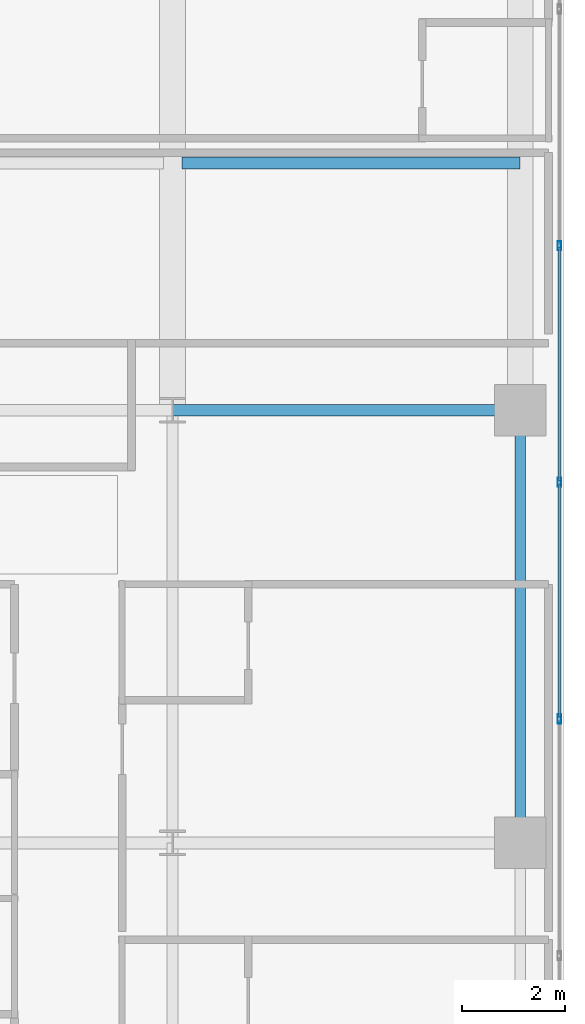
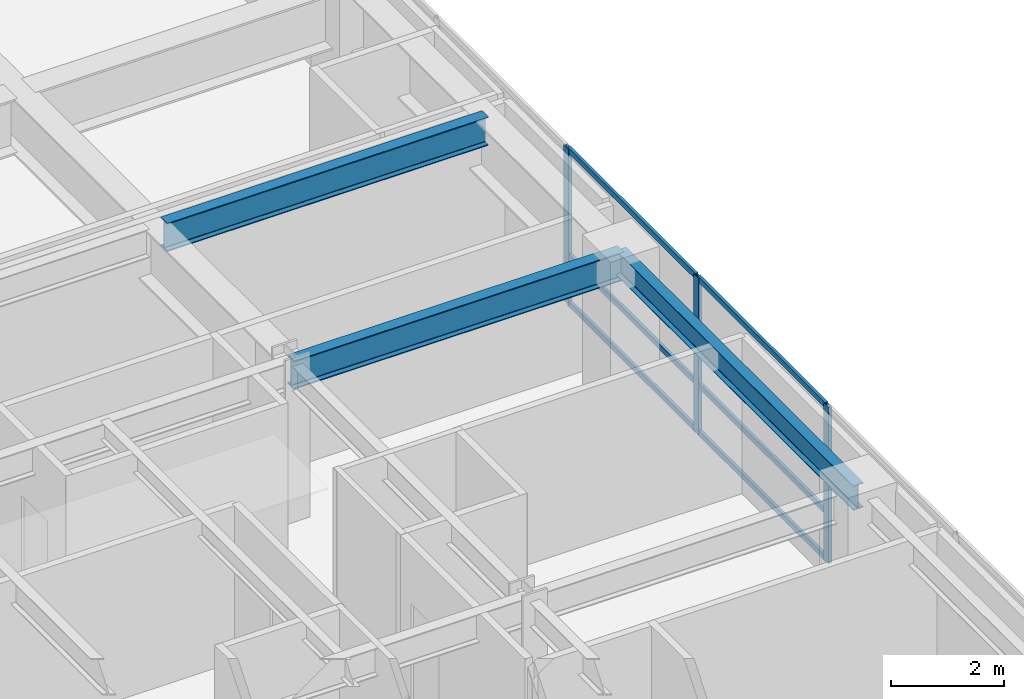
# One storey, part 15 of 31: 9 members, 3 beams, 1 element without a shape of its own.
"""IFC4 building model written with IfcOpenShell, lengths in metres."""

from ifc_helpers import new_model, si_unit, direction, frame, origin, origin_2d, place, context, subcontext, project, spatial, hollow_rectangle, i_section, extrude, source, transform, mapped, material, layer, layer_set, material_profile, profile_set, type_object, type_shapes, element, aggregate, save


model = new_model("IFC4")

# Units and contexts
model_context = context("Model", 3, precision=1e-05, world=origin(), true_north=direction((0.0, 1.0)))
body_context = subcontext(model_context, "Body", "Model", "MODEL_VIEW")
ifc_project = project(units=[si_unit("LENGTHUNIT", "METRE"), si_unit("AREAUNIT", "SQUARE_METRE"), si_unit("VOLUMEUNIT", "CUBIC_METRE"), si_unit("PLANEANGLEUNIT", "RADIAN"), si_unit("MASSUNIT", "GRAM", prefix="KILO")], contexts=[model_context])

# Site, building, storey
site_placement = place(None, origin())
site = spatial("IfcSite", under=ifc_project, at=site_placement, CompositionType="ELEMENT")
building_placement = place(site_placement, origin())
building = spatial("IfcBuilding", under=site, at=building_placement, Name="Tolvann Quenvar Hotel", CompositionType="ELEMENT")
storey_placement = place(building_placement, frame((0.0, 0.0, 74.60009765625)))
storey = spatial("IfcBuildingStorey", under=building, at=storey_placement, Name="L18", CompositionType="ELEMENT", Elevation=74.60009765625)

# Beams
ifc_material_1 = material(Name="Steel Grade 350", Category="steel")
ifc_material_profile_1 = material_profile(ifc_material_1, i_section(OverallWidth=0.22900390625, OverallDepth=0.612060546875, WebThickness=0.011962890625, FlangeThickness=0.01953125, FilletRadius=0.013916015625, at=origin_2d()), Name="610UB125")
ifc_profile_set_1 = profile_set([ifc_material_profile_1], Name="Steel Grade 350")
beam_type_1 = type_object("IfcBeamType", Name="BM_GIRD_610UB125", PredefinedType="BEAM", material=ifc_profile_set_1)
shared_shape_1 = source(origin(), body_context, "Body", "SweptSolid", [
    extrude(i_section(OverallWidth=0.22900390625, OverallDepth=0.612060546875, WebThickness=0.011962890625, FlangeThickness=0.01953125, FilletRadius=0.013916015625, at=origin_2d()), origin(), (0.0, 0.0, 1.0), 6.75),
])
beam_1_placement = place(storey_placement, frame((49.39990234375, 24.39990234375, 3.06396484375), z_axis=(1.0, 0.0, 0.0), x_axis=(0.0, 1.0, 0.0)))
element("IfcBeam", 1, at=beam_1_placement, inside=storey, type_object=beam_type_1, Name="BM-L18-EW-5-I5-J5", PredefinedType="BEAM", context=body_context, shape_type="MappedRepresentation", body=[
    mapped(shared_shape_1, transform((0.0, 0.0, 0.0), x_axis=(1.0, 0.0, 0.0), y_axis=(0.0, 1.0, 0.0), z_axis=(0.0, 0.0, 1.0), scale=1.0)),
])
ifc_material_profile_2 = material_profile(ifc_material_1, i_section(OverallWidth=0.208984375, OverallDepth=0.528076171875, WebThickness=0.009521484375, FlangeThickness=0.01318359375, FilletRadius=0.013916015625, at=origin_2d()), Name="530UB82")
ifc_profile_set_2 = profile_set([ifc_material_profile_2], Name="Steel Grade 350")
beam_type_2 = type_object("IfcBeamType", Name="BM_SPAND_530UB82", PredefinedType="SPANDREL", material=ifc_profile_set_2)
shared_shape_2 = source(origin(), body_context, "Body", "SweptSolid", [
    extrude(i_section(OverallWidth=0.208984375, OverallDepth=0.528076171875, WebThickness=0.009521484375, FlangeThickness=0.01318359375, FilletRadius=0.013916015625, at=origin_2d()), origin(), (0.0, 0.0, 1.0), 8.39990234375),
])
type_shapes(beam_type_2, [shared_shape_2])
beam_2_placement = place(storey_placement, frame((56.14990234375, 16.0, 3.10595703125), z_axis=(0.0, 1.0, 0.0), x_axis=(-1.0, 0.0, 0.0)))
element("IfcBeam", 2, at=beam_2_placement, inside=storey, type_object=beam_type_2, Name="BM-L18-NS-J4-J5", PredefinedType="SPANDREL", context=body_context, shape_type="MappedRepresentation", body=[
    mapped(shared_shape_2, transform((0.0, 0.0, 0.0), x_axis=(1.0, 0.0, 0.0), y_axis=(0.0, 1.0, 0.0), z_axis=(0.0, 0.0, 1.0), scale=1.0)),
])
shared_shape_3 = source(origin(), body_context, "Body", "SweptSolid", [
    extrude(i_section(OverallWidth=0.22900390625, OverallDepth=0.612060546875, WebThickness=0.011962890625, FlangeThickness=0.01953125, FilletRadius=0.013916015625, at=origin_2d()), origin(), (0.0, 0.0, 1.0), 6.56982421875),
])
type_shapes(beam_type_1, [shared_shape_1, shared_shape_3])
beam_3_placement = place(storey_placement, frame((49.580078125, 29.199951171875, 3.06396484375), z_axis=(1.0, 0.0, 0.0), x_axis=(0.0, 1.0, 0.0)))
element("IfcBeam", 3, at=beam_3_placement, inside=storey, type_object=beam_type_1, Name="BM-L18-EW-IJ29", PredefinedType="BEAM", context=body_context, shape_type="MappedRepresentation", body=[
    mapped(shared_shape_3, transform((0.0, 0.0, 0.0), x_axis=(1.0, 0.0, 0.0), y_axis=(0.0, 1.0, 0.0), z_axis=(0.0, 0.0, 1.0), scale=1.0)),
])

# Curtain wall, members
ifc_material_2 = material(Name="Thermally broken anodised architectural aluminium 6063-T6 and laminated low-E glass", Category="aluminium")
ifc_layer = layer(ifc_material_2, 0.179931640625)
ifc_layer_set = layer_set([ifc_layer], Name="Thermally broken anodised architectural aluminium 6063-T6 and laminated low-E glass")
curtain_wall_type = type_object("IfcCurtainWallType", Name="CW_SYS_BAND_04", PredefinedType="USERDEFINED", material=ifc_layer_set)
curtain_wall_placement = place(storey_placement, origin())
curtain_wall = element("IfcCurtainWall", 4, at=curtain_wall_placement, inside=storey, type_object=curtain_wall_type, Name="Curtain Wall CW-BAND-04 (CWR-L18-E13)", ObjectType="UNITISED CURTAIN WALL", PredefinedType="USERDEFINED")
ifc_material_3 = material(Name="Anodised architectural aluminium 6063-T6 framing", Category="aluminium")
ifc_material_profile_3 = material_profile(ifc_material_3, hollow_rectangle(XDim=0.070068359375, YDim=0.179931640625, WallThickness=0.00390625, at=origin_2d()), Name="180x70x4RHS")
ifc_profile_set_3 = profile_set([ifc_material_profile_3], Name="Anodised architectural aluminium 6063-T6 framing")
member_type_1 = type_object("IfcMemberType", Name="CW_MULL_180x70", PredefinedType="MULLION", material=ifc_profile_set_3)
shared_shape_4 = source(origin(), body_context, "Body", "SweptSolid", [
    extrude(hollow_rectangle(XDim=0.070068359375, YDim=0.179931640625, WallThickness=0.00390625, at=origin_2d()), origin(), (0.0, 0.0, 1.0), 3.369873046875),
])
type_shapes(member_type_1, [shared_shape_4])
member_1_placement = place(storey_placement, frame((56.909912109375, 18.404296875, 0.0), z_axis=(0.0, 0.0, 1.0), x_axis=(-1.0, 0.0, 0.0)))
member_1 = element("IfcMember", 5, at=member_1_placement, type_object=member_type_1, Name="CW-BAND-04 mullion 4", PredefinedType="MULLION", context=body_context, shape_type="MappedRepresentation", body=[
    mapped(shared_shape_4, transform((0.0, 0.0, 0.0), x_axis=(1.0, 0.0, 0.0), y_axis=(0.0, 1.0, 0.0), z_axis=(0.0, 0.0, 1.0), scale=1.0)),
])
member_2_placement = place(storey_placement, frame((56.909912109375, 23.0, 0.0), z_axis=(0.0, 0.0, 1.0), x_axis=(-1.0, 0.0, 0.0)))
member_2 = element("IfcMember", 6, at=member_2_placement, type_object=member_type_1, Name="CW-BAND-04 mullion 5", PredefinedType="MULLION", context=body_context, shape_type="MappedRepresentation", body=[
    mapped(shared_shape_4, transform((0.0, 0.0, 0.0), x_axis=(1.0, 0.0, 0.0), y_axis=(0.0, 1.0, 0.0), z_axis=(0.0, 0.0, 1.0), scale=1.0)),
])
member_3_placement = place(storey_placement, frame((56.909912109375, 27.595703125, 0.0), z_axis=(0.0, 0.0, 1.0), x_axis=(-1.0, 0.0, 0.0)))
member_3 = element("IfcMember", 7, at=member_3_placement, type_object=member_type_1, Name="CW-BAND-04 mullion 6", PredefinedType="MULLION", context=body_context, shape_type="MappedRepresentation", body=[
    mapped(shared_shape_4, transform((0.0, 0.0, 0.0), x_axis=(1.0, 0.0, 0.0), y_axis=(0.0, 1.0, 0.0), z_axis=(0.0, 0.0, 1.0), scale=1.0)),
])
ifc_material_profile_4 = material_profile(ifc_material_3, hollow_rectangle(XDim=0.06005859375, YDim=0.1201171875, WallThickness=0.00341796875, at=origin_2d()), Name="120x60x3.5RHS")
ifc_profile_set_4 = profile_set([ifc_material_profile_4], Name="Anodised architectural aluminium 6063-T6 framing")
member_type_2 = type_object("IfcMemberType", Name="CW_TRAN_120x60", PredefinedType="USERDEFINED", material=ifc_profile_set_4)
shared_shape_5 = source(origin(), body_context, "Body", "SweptSolid", [
    extrude(hollow_rectangle(XDim=0.06005859375, YDim=0.1201171875, WallThickness=0.00341796875, at=origin_2d()), origin(), (0.0, 0.0, 1.0), 4.52587890625),
])
type_shapes(member_type_2, [shared_shape_5])
member_4_placement = place(storey_placement, frame((56.909912109375, 18.439208984375, 0.02978515625), z_axis=(0.0, 1.0, 0.0), x_axis=(-1.0, 0.0, 0.0)))
member_4 = element("IfcMember", 8, at=member_4_placement, type_object=member_type_2, Name="CW-BAND-04 transom 4.1", ObjectType="TRANSOM", PredefinedType="USERDEFINED", context=body_context, shape_type="MappedRepresentation", body=[
    mapped(shared_shape_5, transform((0.0, 0.0, 0.0), x_axis=(1.0, 0.0, 0.0), y_axis=(0.0, 1.0, 0.0), z_axis=(0.0, 0.0, 1.0), scale=1.0)),
])
member_5_placement = place(storey_placement, frame((56.909912109375, 18.439208984375, 1.0498046875), z_axis=(0.0, 1.0, 0.0), x_axis=(-1.0, 0.0, 0.0)))
member_5 = element("IfcMember", 9, at=member_5_placement, type_object=member_type_2, Name="CW-BAND-04 transom 4.2", ObjectType="TRANSOM", PredefinedType="USERDEFINED", context=body_context, shape_type="MappedRepresentation", body=[
    mapped(shared_shape_5, transform((0.0, 0.0, 0.0), x_axis=(1.0, 0.0, 0.0), y_axis=(0.0, 1.0, 0.0), z_axis=(0.0, 0.0, 1.0), scale=1.0)),
])
member_6_placement = place(storey_placement, frame((56.909912109375, 18.439208984375, 3.33984375), z_axis=(0.0, 1.0, 0.0), x_axis=(-1.0, 0.0, 0.0)))
member_6 = element("IfcMember", 10, at=member_6_placement, type_object=member_type_2, Name="CW-BAND-04 transom 4.3", ObjectType="TRANSOM", PredefinedType="USERDEFINED", context=body_context, shape_type="MappedRepresentation", body=[
    mapped(shared_shape_5, transform((0.0, 0.0, 0.0), x_axis=(1.0, 0.0, 0.0), y_axis=(0.0, 1.0, 0.0), z_axis=(0.0, 0.0, 1.0), scale=1.0)),
])
member_7_placement = place(storey_placement, frame((56.909912109375, 23.034912109375, 0.02978515625), z_axis=(0.0, 1.0, 0.0), x_axis=(-1.0, 0.0, 0.0)))
member_7 = element("IfcMember", 11, at=member_7_placement, type_object=member_type_2, Name="CW-BAND-04 transom 5.1", ObjectType="TRANSOM", PredefinedType="USERDEFINED", context=body_context, shape_type="MappedRepresentation", body=[
    mapped(shared_shape_5, transform((0.0, 0.0, 0.0), x_axis=(1.0, 0.0, 0.0), y_axis=(0.0, 1.0, 0.0), z_axis=(0.0, 0.0, 1.0), scale=1.0)),
])
member_8_placement = place(storey_placement, frame((56.909912109375, 23.034912109375, 1.0498046875), z_axis=(0.0, 1.0, 0.0), x_axis=(-1.0, 0.0, 0.0)))
member_8 = element("IfcMember", 12, at=member_8_placement, type_object=member_type_2, Name="CW-BAND-04 transom 5.2", ObjectType="TRANSOM", PredefinedType="USERDEFINED", context=body_context, shape_type="MappedRepresentation", body=[
    mapped(shared_shape_5, transform((0.0, 0.0, 0.0), x_axis=(1.0, 0.0, 0.0), y_axis=(0.0, 1.0, 0.0), z_axis=(0.0, 0.0, 1.0), scale=1.0)),
])
member_9_placement = place(storey_placement, frame((56.909912109375, 23.034912109375, 3.33984375), z_axis=(0.0, 1.0, 0.0), x_axis=(-1.0, 0.0, 0.0)))
member_9 = element("IfcMember", 13, at=member_9_placement, type_object=member_type_2, Name="CW-BAND-04 transom 5.3", ObjectType="TRANSOM", PredefinedType="USERDEFINED", context=body_context, shape_type="MappedRepresentation", body=[
    mapped(shared_shape_5, transform((0.0, 0.0, 0.0), x_axis=(1.0, 0.0, 0.0), y_axis=(0.0, 1.0, 0.0), z_axis=(0.0, 0.0, 1.0), scale=1.0)),
])
aggregate(curtain_wall, [member_1, member_2, member_3, member_4, member_5, member_6, member_7, member_8, member_9])

save(model, "model.ifc")
